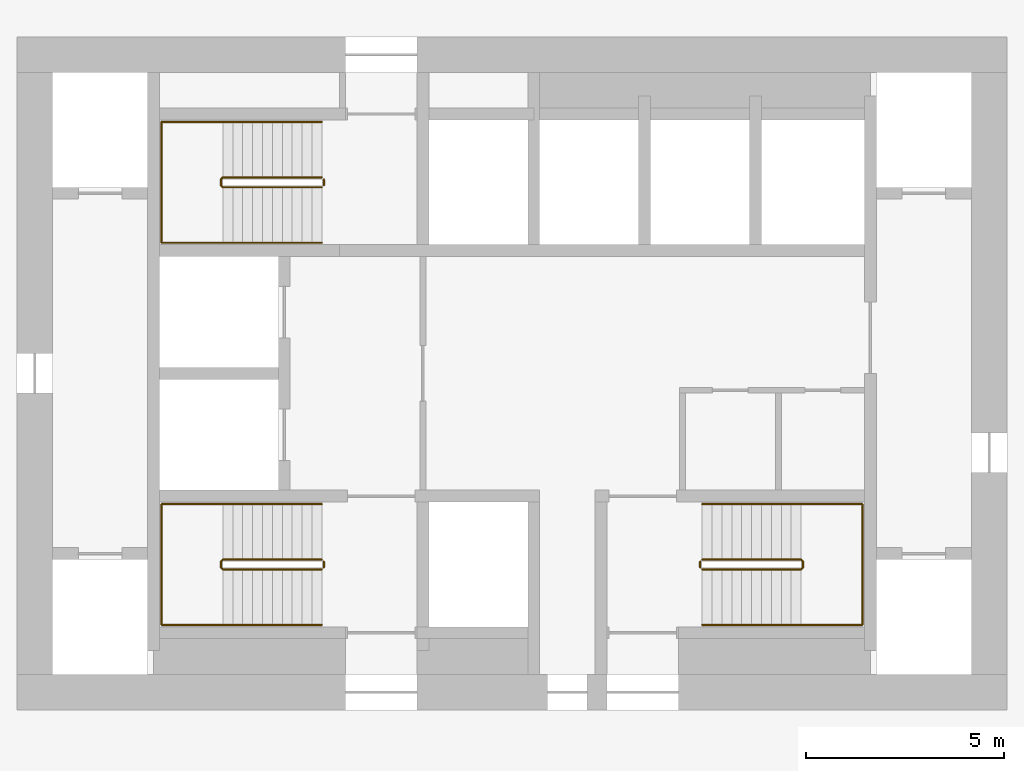
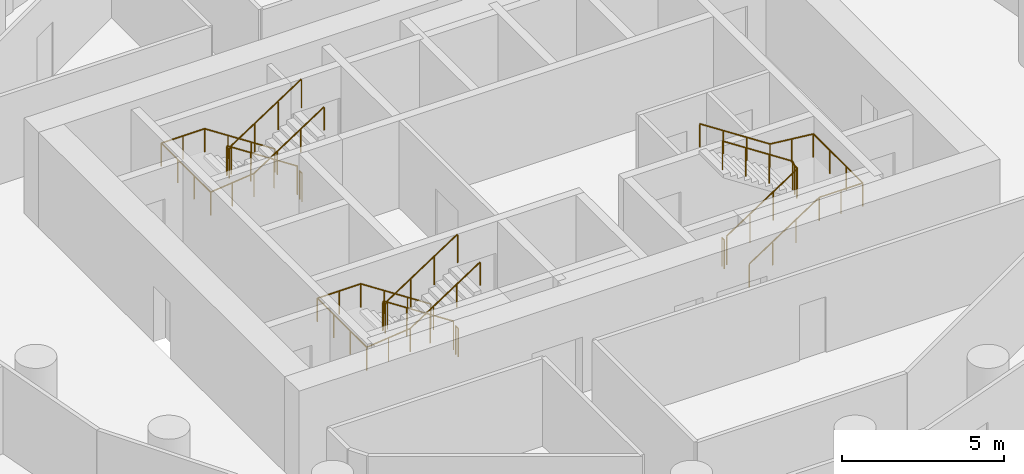
# One storey, part 9 of 9: 9 railings.
"""IFC4 building model written with IfcOpenShell, lengths in metres."""

from ifc_helpers import new_model, si_unit, direction, frame, origin, origin_2d, place, context, subcontext, project, spatial, circle, extrude, material, type_object, element, save


model = new_model("IFC4")

# Units and contexts
model_context = context("Model", 3, precision=1e-05, world=origin(), true_north=direction((0.0, 1.0)))
body_context = subcontext(model_context, "Body", "Model", "MODEL_VIEW")
ifc_project = project(units=[si_unit("LENGTHUNIT", "METRE"), si_unit("AREAUNIT", "SQUARE_METRE"), si_unit("VOLUMEUNIT", "CUBIC_METRE"), si_unit("PLANEANGLEUNIT", "RADIAN"), si_unit("MASSUNIT", "GRAM", prefix="KILO")], contexts=[model_context])

# Site, building, storey
site_placement = place(None, origin())
site = spatial("IfcSite", under=ifc_project, at=site_placement, CompositionType="ELEMENT")
building_placement = place(site_placement, origin())
building = spatial("IfcBuilding", under=site, at=building_placement, Name="Tracery Tower", CompositionType="ELEMENT")
storey_placement = place(building_placement, frame((0.0, 0.0, 147.60009765625)))
storey = spatial("IfcBuildingStorey", under=building, at=storey_placement, Name="L37", CompositionType="ELEMENT", Elevation=147.60009765625)

# Railings
ifc_material_1 = material(Name="Stainless steel and laminated glass", Category="steel")
railing_type_1 = type_object("IfcRailingType", Name="Stair guard 1100", PredefinedType="GUARDRAIL", material=ifc_material_1)
railing_1_placement = place(storey_placement, frame((-4.800048828125, -4.699951171875, 0.16357421875)))
element("IfcRailing", 1, at=railing_1_placement, inside=storey, type_object=railing_type_1, Name="L37 stair ST1 guard 1", PredefinedType="GUARDRAIL", context=body_context, shape_type="SweptSolid", body=[
    extrude(circle(Radius=0.02392578125, at=origin_2d()), frame((0.0, 0.0, 1.076171875), z_axis=(-0.836721939367, 0.0, 0.547627972425), x_axis=(0.0, -1.0, 0.0)), (0.0, 0.0, 1.0), 2.98779296875),
    extrude(circle(Radius=0.02392578125, at=origin_2d()), frame((-2.5, 0.0, 2.71240234375), z_axis=(-0.707106781187, -0.707106781187, 0.0), x_axis=(0.707106781187, -0.707106781187, 0.0)), (0.0, 0.0, 1.0), 0.07080078125),
    extrude(circle(Radius=0.02392578125, at=origin_2d()), frame((-2.550048828125, -0.050048828125, 2.71240234375), z_axis=(0.0, -1.0, 0.0), x_axis=(1.0, 0.0, 0.0)), (0.0, 0.0, 1.0), 0.14990234375),
    extrude(circle(Radius=0.02392578125, at=origin_2d()), frame((-2.550048828125, -0.199951171875, 2.71240234375), z_axis=(0.280456126637, -0.280456126637, 0.917980785237), x_axis=(0.707106781187, 0.707106781187, 0.0)), (0.0, 0.0, 1.0), 0.178466796875),
    extrude(circle(Radius=0.02392578125, at=origin_2d()), frame((-2.5, -0.25, 2.8759765625), z_axis=(0.836721939367, 0.0, 0.547627972425), x_axis=(0.0, 1.0, 0.0)), (0.0, 0.0, 1.0), 2.98779296875),
    extrude(circle(Radius=0.02099609375, at=origin_2d()), origin(), (0.0, 0.0, 1.0), 1.052001953125),
    extrude(circle(Radius=0.02099609375, at=origin_2d()), frame((-0.833251953125, 0.0, 0.54541015625)), (0.0, 0.0, 1.0), 1.052001953125),
    extrude(circle(Radius=0.02099609375, at=origin_2d()), frame((-1.666748046875, 0.0, 1.0908203125)), (0.0, 0.0, 1.0), 1.052001953125),
    extrude(circle(Radius=0.02099609375, at=origin_2d()), frame((-2.5, 0.0, 1.63623046875)), (0.0, 0.0, 1.0), 1.052001953125),
    extrude(circle(Radius=0.02099609375, at=origin_2d()), frame((-2.550048828125, -0.050048828125, 1.63623046875)), (0.0, 0.0, 1.0), 1.052001953125),
    extrude(circle(Radius=0.02099609375, at=origin_2d()), frame((-2.550048828125, -0.199951171875, 1.63623046875)), (0.0, 0.0, 1.0), 1.052001953125),
    extrude(circle(Radius=0.02099609375, at=origin_2d()), frame((-2.5, -0.25, 1.800048828125)), (0.0, 0.0, 1.0), 1.052001953125),
    extrude(circle(Radius=0.02099609375, at=origin_2d()), frame((-1.666748046875, -0.25, 2.345458984375)), (0.0, 0.0, 1.0), 1.052001953125),
    extrude(circle(Radius=0.02099609375, at=origin_2d()), frame((-0.833251953125, -0.25, 2.890869140625)), (0.0, 0.0, 1.0), 1.052001953125),
    extrude(circle(Radius=0.02099609375, at=origin_2d()), frame((0.0, -0.25, 3.436279296875)), (0.0, 0.0, 1.0), 1.052001953125),
])
railing_2_placement = place(storey_placement, frame((-4.75, -4.75, 0.0)))
element("IfcRailing", 2, at=railing_2_placement, inside=storey, type_object=railing_type_1, Name="L37 stair ST1 guard 2", PredefinedType="GUARDRAIL", context=body_context, shape_type="SweptSolid", body=[
    extrude(circle(Radius=0.02392578125, at=origin_2d()), frame((0.0, 0.0, 1.076171875), z_axis=(0.0, -1.0, 0.0), x_axis=(1.0, 0.0, 0.0)), (0.0, 0.0, 1.0), 0.14990234375),
    extrude(circle(Radius=0.02099609375, at=origin_2d()), origin(), (0.0, 0.0, 1.0), 1.052001953125),
    extrude(circle(Radius=0.02099609375, at=origin_2d()), frame((0.0, -0.14990234375, 0.0)), (0.0, 0.0, 1.0), 1.052001953125),
])
railing_3_placement = place(storey_placement, frame((-4.800048828125, 4.949951171875, 0.16357421875)))
element("IfcRailing", 3, at=railing_3_placement, inside=storey, type_object=railing_type_1, Name="L37 stair ST3 guard 1", PredefinedType="GUARDRAIL", context=body_context, shape_type="SweptSolid", body=[
    extrude(circle(Radius=0.02392578125, at=origin_2d()), frame((0.0, 0.0, 1.076171875), z_axis=(-0.836721939367, 0.0, 0.547627972425), x_axis=(0.0, -1.0, 0.0)), (0.0, 0.0, 1.0), 2.98779296875),
    extrude(circle(Radius=0.02392578125, at=origin_2d()), frame((-2.5, 0.0, 2.71240234375), z_axis=(-0.707106781187, -0.707106781187, 0.0), x_axis=(0.707106781187, -0.707106781187, 0.0)), (0.0, 0.0, 1.0), 0.07080078125),
    extrude(circle(Radius=0.02392578125, at=origin_2d()), frame((-2.550048828125, -0.050048828125, 2.71240234375), z_axis=(0.0, -1.0, 0.0), x_axis=(1.0, 0.0, 0.0)), (0.0, 0.0, 1.0), 0.14990234375),
    extrude(circle(Radius=0.02392578125, at=origin_2d()), frame((-2.550048828125, -0.199951171875, 2.71240234375), z_axis=(0.280456126637, -0.280456126637, 0.917980785237), x_axis=(0.707106781187, 0.707106781187, 0.0)), (0.0, 0.0, 1.0), 0.178466796875),
    extrude(circle(Radius=0.02392578125, at=origin_2d()), frame((-2.5, -0.25, 2.8759765625), z_axis=(0.836721939367, 0.0, 0.547627972425), x_axis=(0.0, 1.0, 0.0)), (0.0, 0.0, 1.0), 2.98779296875),
    extrude(circle(Radius=0.02099609375, at=origin_2d()), origin(), (0.0, 0.0, 1.0), 1.052001953125),
    extrude(circle(Radius=0.02099609375, at=origin_2d()), frame((-0.833251953125, 0.0, 0.54541015625)), (0.0, 0.0, 1.0), 1.052001953125),
    extrude(circle(Radius=0.02099609375, at=origin_2d()), frame((-1.666748046875, 0.0, 1.0908203125)), (0.0, 0.0, 1.0), 1.052001953125),
    extrude(circle(Radius=0.02099609375, at=origin_2d()), frame((-2.5, 0.0, 1.63623046875)), (0.0, 0.0, 1.0), 1.052001953125),
    extrude(circle(Radius=0.02099609375, at=origin_2d()), frame((-2.550048828125, -0.050048828125, 1.63623046875)), (0.0, 0.0, 1.0), 1.052001953125),
    extrude(circle(Radius=0.02099609375, at=origin_2d()), frame((-2.550048828125, -0.199951171875, 1.63623046875)), (0.0, 0.0, 1.0), 1.052001953125),
    extrude(circle(Radius=0.02099609375, at=origin_2d()), frame((-2.5, -0.25, 1.800048828125)), (0.0, 0.0, 1.0), 1.052001953125),
    extrude(circle(Radius=0.02099609375, at=origin_2d()), frame((-1.666748046875, -0.25, 2.345458984375)), (0.0, 0.0, 1.0), 1.052001953125),
    extrude(circle(Radius=0.02099609375, at=origin_2d()), frame((-0.833251953125, -0.25, 2.890869140625)), (0.0, 0.0, 1.0), 1.052001953125),
    extrude(circle(Radius=0.02099609375, at=origin_2d()), frame((0.0, -0.25, 3.436279296875)), (0.0, 0.0, 1.0), 1.052001953125),
])
railing_4_placement = place(storey_placement, frame((-4.75, 4.89990234375, 0.0)))
element("IfcRailing", 4, at=railing_4_placement, inside=storey, type_object=railing_type_1, Name="L37 stair ST3 guard 2", PredefinedType="GUARDRAIL", context=body_context, shape_type="SweptSolid", body=[
    extrude(circle(Radius=0.02392578125, at=origin_2d()), frame((0.0, 0.0, 1.076171875), z_axis=(0.0, -1.0, 0.0), x_axis=(1.0, 0.0, 0.0)), (0.0, 0.0, 1.0), 0.14990234375),
    extrude(circle(Radius=0.02099609375, at=origin_2d()), origin(), (0.0, 0.0, 1.0), 1.052001953125),
    extrude(circle(Radius=0.02099609375, at=origin_2d()), frame((0.0, -0.14990234375, 0.0)), (0.0, 0.0, 1.0), 1.052001953125),
])
railing_5_placement = place(storey_placement, frame((4.800048828125, -4.949951171875, 0.16357421875)))
element("IfcRailing", 5, at=railing_5_placement, inside=storey, type_object=railing_type_1, Name="L37 stair ST2 guard 1", PredefinedType="GUARDRAIL", context=body_context, shape_type="SweptSolid", body=[
    extrude(circle(Radius=0.02392578125, at=origin_2d()), frame((0.0, 0.0, 1.076171875), z_axis=(0.836721939367, 0.0, 0.547627972425), x_axis=(0.0, 1.0, 0.0)), (0.0, 0.0, 1.0), 2.98779296875),
    extrude(circle(Radius=0.02392578125, at=origin_2d()), frame((2.5, 0.0, 2.71240234375), z_axis=(0.707106781187, 0.707106781187, 0.0), x_axis=(-0.707106781187, 0.707106781187, 0.0)), (0.0, 0.0, 1.0), 0.07080078125),
    extrude(circle(Radius=0.02392578125, at=origin_2d()), frame((2.550048828125, 0.050048828125, 2.71240234375), z_axis=(0.0, 1.0, 0.0), x_axis=(-1.0, 0.0, 0.0)), (0.0, 0.0, 1.0), 0.14990234375),
    extrude(circle(Radius=0.02392578125, at=origin_2d()), frame((2.550048828125, 0.199951171875, 2.71240234375), z_axis=(-0.280456126637, 0.280456126637, 0.917980785237), x_axis=(-0.707106781187, -0.707106781187, 0.0)), (0.0, 0.0, 1.0), 0.178466796875),
    extrude(circle(Radius=0.02392578125, at=origin_2d()), frame((2.5, 0.25, 2.8759765625), z_axis=(-0.836721939367, 0.0, 0.547627972425), x_axis=(0.0, -1.0, 0.0)), (0.0, 0.0, 1.0), 2.98779296875),
    extrude(circle(Radius=0.02099609375, at=origin_2d()), origin(), (0.0, 0.0, 1.0), 1.052001953125),
    extrude(circle(Radius=0.02099609375, at=origin_2d()), frame((0.833251953125, 0.0, 0.54541015625)), (0.0, 0.0, 1.0), 1.052001953125),
    extrude(circle(Radius=0.02099609375, at=origin_2d()), frame((1.666748046875, 0.0, 1.0908203125)), (0.0, 0.0, 1.0), 1.052001953125),
    extrude(circle(Radius=0.02099609375, at=origin_2d()), frame((2.5, 0.0, 1.63623046875)), (0.0, 0.0, 1.0), 1.052001953125),
    extrude(circle(Radius=0.02099609375, at=origin_2d()), frame((2.550048828125, 0.050048828125, 1.63623046875)), (0.0, 0.0, 1.0), 1.052001953125),
    extrude(circle(Radius=0.02099609375, at=origin_2d()), frame((2.550048828125, 0.199951171875, 1.63623046875)), (0.0, 0.0, 1.0), 1.052001953125),
    extrude(circle(Radius=0.02099609375, at=origin_2d()), frame((2.5, 0.25, 1.800048828125)), (0.0, 0.0, 1.0), 1.052001953125),
    extrude(circle(Radius=0.02099609375, at=origin_2d()), frame((1.666748046875, 0.25, 2.345458984375)), (0.0, 0.0, 1.0), 1.052001953125),
    extrude(circle(Radius=0.02099609375, at=origin_2d()), frame((0.833251953125, 0.25, 2.890869140625)), (0.0, 0.0, 1.0), 1.052001953125),
    extrude(circle(Radius=0.02099609375, at=origin_2d()), frame((0.0, 0.25, 3.436279296875)), (0.0, 0.0, 1.0), 1.052001953125),
])
railing_6_placement = place(storey_placement, frame((4.75, -4.89990234375, 0.0)))
element("IfcRailing", 6, at=railing_6_placement, inside=storey, type_object=railing_type_1, Name="L37 stair ST2 guard 2", PredefinedType="GUARDRAIL", context=body_context, shape_type="SweptSolid", body=[
    extrude(circle(Radius=0.02392578125, at=origin_2d()), frame((0.0, 0.0, 1.076171875), z_axis=(0.0, 1.0, 0.0), x_axis=(-1.0, 0.0, 0.0)), (0.0, 0.0, 1.0), 0.14990234375),
    extrude(circle(Radius=0.02099609375, at=origin_2d()), origin(), (0.0, 0.0, 1.0), 1.052001953125),
    extrude(circle(Radius=0.02099609375, at=origin_2d()), frame((0.0, 0.14990234375, 0.0)), (0.0, 0.0, 1.0), 1.052001953125),
])
ifc_material_2 = material(Name="Stainless steel and laminated glass", Category="steel")
railing_type_2 = type_object("IfcRailingType", Name="Stair handrail 900", PredefinedType="HANDRAIL", material=ifc_material_2)
railing_7_placement = place(storey_placement, frame((-4.800048828125, -3.300048828125, 0.16357421875)))
element("IfcRailing", 7, at=railing_7_placement, inside=storey, type_object=railing_type_2, Name="L37 stair ST1 handrail 1", PredefinedType="HANDRAIL", context=body_context, shape_type="SweptSolid", body=[
    extrude(circle(Radius=0.02392578125, at=origin_2d()), frame((0.0, 0.0, 0.8759765625), z_axis=(-0.836721939367, 0.0, 0.547627972425), x_axis=(0.0, -1.0, 0.0)), (0.0, 0.0, 1.0), 2.98779296875),
    extrude(circle(Radius=0.02392578125, at=origin_2d()), frame((-2.5, 0.0, 2.51220703125), z_axis=(-1.0, 0.0, 0.0), x_axis=(0.0, -1.0, 0.0)), (0.0, 0.0, 1.0), 1.550048828125),
    extrude(circle(Radius=0.02392578125, at=origin_2d()), frame((-4.050048828125, 0.0, 2.51220703125), z_axis=(0.0, -1.0, 0.0), x_axis=(1.0, 0.0, 0.0)), (0.0, 0.0, 1.0), 3.050048828125),
    extrude(circle(Radius=0.02392578125, at=origin_2d()), frame((-4.050048828125, -3.050048828125, 2.51220703125), z_axis=(0.994461594632, 0.0, 0.105100603244), x_axis=(0.0, 1.0, 0.0)), (0.0, 0.0, 1.0), 1.55859375),
    extrude(circle(Radius=0.02392578125, at=origin_2d()), frame((-2.5, -3.050048828125, 2.67578125), z_axis=(0.836721939367, 0.0, 0.547627972425), x_axis=(0.0, 1.0, 0.0)), (0.0, 0.0, 1.0), 2.98779296875),
    extrude(circle(Radius=0.02099609375, at=origin_2d()), origin(), (0.0, 0.0, 1.0), 0.851806640625),
    extrude(circle(Radius=0.02099609375, at=origin_2d()), frame((-0.833251953125, 0.0, 0.54541015625)), (0.0, 0.0, 1.0), 0.851806640625),
    extrude(circle(Radius=0.02099609375, at=origin_2d()), frame((-1.666748046875, 0.0, 1.0908203125)), (0.0, 0.0, 1.0), 0.851806640625),
    extrude(circle(Radius=0.02099609375, at=origin_2d()), frame((-2.5, 0.0, 1.63623046875)), (0.0, 0.0, 1.0), 0.851806640625),
    extrude(circle(Radius=0.02099609375, at=origin_2d()), frame((-3.27490234375, 0.0, 1.63623046875)), (0.0, 0.0, 1.0), 0.851806640625),
    extrude(circle(Radius=0.02099609375, at=origin_2d()), frame((-4.050048828125, 0.0, 1.63623046875)), (0.0, 0.0, 1.0), 0.851806640625),
    extrude(circle(Radius=0.02099609375, at=origin_2d()), frame((-4.050048828125, -1.0166015625, 1.63623046875)), (0.0, 0.0, 1.0), 0.851806640625),
    extrude(circle(Radius=0.02099609375, at=origin_2d()), frame((-4.050048828125, -2.033447265625, 1.63623046875)), (0.0, 0.0, 1.0), 0.851806640625),
    extrude(circle(Radius=0.02099609375, at=origin_2d()), frame((-4.050048828125, -3.050048828125, 1.63623046875)), (0.0, 0.0, 1.0), 0.851806640625),
    extrude(circle(Radius=0.02099609375, at=origin_2d()), frame((-3.27490234375, -3.050048828125, 1.71826171875)), (0.0, 0.0, 1.0), 0.851806640625),
    extrude(circle(Radius=0.02099609375, at=origin_2d()), frame((-2.5, -3.050048828125, 1.800048828125)), (0.0, 0.0, 1.0), 0.851806640625),
    extrude(circle(Radius=0.02099609375, at=origin_2d()), frame((-1.666748046875, -3.050048828125, 2.345458984375)), (0.0, 0.0, 1.0), 0.851806640625),
    extrude(circle(Radius=0.02099609375, at=origin_2d()), frame((-0.833251953125, -3.050048828125, 2.890869140625)), (0.0, 0.0, 1.0), 0.851806640625),
    extrude(circle(Radius=0.02099609375, at=origin_2d()), frame((0.0, -3.050048828125, 3.436279296875)), (0.0, 0.0, 1.0), 0.851806640625),
])
railing_8_placement = place(storey_placement, frame((-4.800048828125, 6.35009765625, 0.16357421875)))
element("IfcRailing", 8, at=railing_8_placement, inside=storey, type_object=railing_type_2, Name="L37 stair ST3 handrail 1", PredefinedType="HANDRAIL", context=body_context, shape_type="SweptSolid", body=[
    extrude(circle(Radius=0.02392578125, at=origin_2d()), frame((0.0, 0.0, 0.8759765625), z_axis=(-0.836721939367, 0.0, 0.547627972425), x_axis=(0.0, -1.0, 0.0)), (0.0, 0.0, 1.0), 2.98779296875),
    extrude(circle(Radius=0.02392578125, at=origin_2d()), frame((-2.5, 0.0, 2.51220703125), z_axis=(-1.0, 0.0, 0.0), x_axis=(0.0, -1.0, 0.0)), (0.0, 0.0, 1.0), 1.550048828125),
    extrude(circle(Radius=0.02392578125, at=origin_2d()), frame((-4.050048828125, 0.0, 2.51220703125), z_axis=(0.0, -1.0, 0.0), x_axis=(1.0, 0.0, 0.0)), (0.0, 0.0, 1.0), 3.050048828125),
    extrude(circle(Radius=0.02392578125, at=origin_2d()), frame((-4.050048828125, -3.050048828125, 2.51220703125), z_axis=(0.994461594632, 0.0, 0.105100603244), x_axis=(0.0, 1.0, 0.0)), (0.0, 0.0, 1.0), 1.55859375),
    extrude(circle(Radius=0.02392578125, at=origin_2d()), frame((-2.5, -3.050048828125, 2.67578125), z_axis=(0.836721939367, 0.0, 0.547627972425), x_axis=(0.0, 1.0, 0.0)), (0.0, 0.0, 1.0), 2.98779296875),
    extrude(circle(Radius=0.02099609375, at=origin_2d()), origin(), (0.0, 0.0, 1.0), 0.851806640625),
    extrude(circle(Radius=0.02099609375, at=origin_2d()), frame((-0.833251953125, 0.0, 0.54541015625)), (0.0, 0.0, 1.0), 0.851806640625),
    extrude(circle(Radius=0.02099609375, at=origin_2d()), frame((-1.666748046875, 0.0, 1.0908203125)), (0.0, 0.0, 1.0), 0.851806640625),
    extrude(circle(Radius=0.02099609375, at=origin_2d()), frame((-2.5, 0.0, 1.63623046875)), (0.0, 0.0, 1.0), 0.851806640625),
    extrude(circle(Radius=0.02099609375, at=origin_2d()), frame((-3.27490234375, 0.0, 1.63623046875)), (0.0, 0.0, 1.0), 0.851806640625),
    extrude(circle(Radius=0.02099609375, at=origin_2d()), frame((-4.050048828125, 0.0, 1.63623046875)), (0.0, 0.0, 1.0), 0.851806640625),
    extrude(circle(Radius=0.02099609375, at=origin_2d()), frame((-4.050048828125, -1.0166015625, 1.63623046875)), (0.0, 0.0, 1.0), 0.851806640625),
    extrude(circle(Radius=0.02099609375, at=origin_2d()), frame((-4.050048828125, -2.033447265625, 1.63623046875)), (0.0, 0.0, 1.0), 0.851806640625),
    extrude(circle(Radius=0.02099609375, at=origin_2d()), frame((-4.050048828125, -3.050048828125, 1.63623046875)), (0.0, 0.0, 1.0), 0.851806640625),
    extrude(circle(Radius=0.02099609375, at=origin_2d()), frame((-3.27490234375, -3.050048828125, 1.71826171875)), (0.0, 0.0, 1.0), 0.851806640625),
    extrude(circle(Radius=0.02099609375, at=origin_2d()), frame((-2.5, -3.050048828125, 1.800048828125)), (0.0, 0.0, 1.0), 0.851806640625),
    extrude(circle(Radius=0.02099609375, at=origin_2d()), frame((-1.666748046875, -3.050048828125, 2.345458984375)), (0.0, 0.0, 1.0), 0.851806640625),
    extrude(circle(Radius=0.02099609375, at=origin_2d()), frame((-0.833251953125, -3.050048828125, 2.890869140625)), (0.0, 0.0, 1.0), 0.851806640625),
    extrude(circle(Radius=0.02099609375, at=origin_2d()), frame((0.0, -3.050048828125, 3.436279296875)), (0.0, 0.0, 1.0), 0.851806640625),
])
railing_9_placement = place(storey_placement, frame((4.800048828125, -6.35009765625, 0.16357421875)))
element("IfcRailing", 9, at=railing_9_placement, inside=storey, type_object=railing_type_2, Name="L37 stair ST2 handrail 1", PredefinedType="HANDRAIL", context=body_context, shape_type="SweptSolid", body=[
    extrude(circle(Radius=0.02392578125, at=origin_2d()), frame((0.0, 0.0, 0.8759765625), z_axis=(0.836721939367, 0.0, 0.547627972425), x_axis=(0.0, 1.0, 0.0)), (0.0, 0.0, 1.0), 2.98779296875),
    extrude(circle(Radius=0.02392578125, at=origin_2d()), frame((2.5, 0.0, 2.51220703125), z_axis=(1.0, 0.0, 0.0), x_axis=(0.0, 1.0, 0.0)), (0.0, 0.0, 1.0), 1.550048828125),
    extrude(circle(Radius=0.02392578125, at=origin_2d()), frame((4.050048828125, 0.0, 2.51220703125), z_axis=(0.0, 1.0, 0.0), x_axis=(-1.0, 0.0, 0.0)), (0.0, 0.0, 1.0), 3.050048828125),
    extrude(circle(Radius=0.02392578125, at=origin_2d()), frame((4.050048828125, 3.050048828125, 2.51220703125), z_axis=(-0.994461594632, 0.0, 0.105100603244), x_axis=(0.0, -1.0, 0.0)), (0.0, 0.0, 1.0), 1.55859375),
    extrude(circle(Radius=0.02392578125, at=origin_2d()), frame((2.5, 3.050048828125, 2.67578125), z_axis=(-0.836721939367, 0.0, 0.547627972425), x_axis=(0.0, -1.0, 0.0)), (0.0, 0.0, 1.0), 2.98779296875),
    extrude(circle(Radius=0.02099609375, at=origin_2d()), origin(), (0.0, 0.0, 1.0), 0.851806640625),
    extrude(circle(Radius=0.02099609375, at=origin_2d()), frame((0.833251953125, 0.0, 0.54541015625)), (0.0, 0.0, 1.0), 0.851806640625),
    extrude(circle(Radius=0.02099609375, at=origin_2d()), frame((1.666748046875, 0.0, 1.0908203125)), (0.0, 0.0, 1.0), 0.851806640625),
    extrude(circle(Radius=0.02099609375, at=origin_2d()), frame((2.5, 0.0, 1.63623046875)), (0.0, 0.0, 1.0), 0.851806640625),
    extrude(circle(Radius=0.02099609375, at=origin_2d()), frame((3.27490234375, 0.0, 1.63623046875)), (0.0, 0.0, 1.0), 0.851806640625),
    extrude(circle(Radius=0.02099609375, at=origin_2d()), frame((4.050048828125, 0.0, 1.63623046875)), (0.0, 0.0, 1.0), 0.851806640625),
    extrude(circle(Radius=0.02099609375, at=origin_2d()), frame((4.050048828125, 1.0166015625, 1.63623046875)), (0.0, 0.0, 1.0), 0.851806640625),
    extrude(circle(Radius=0.02099609375, at=origin_2d()), frame((4.050048828125, 2.033447265625, 1.63623046875)), (0.0, 0.0, 1.0), 0.851806640625),
    extrude(circle(Radius=0.02099609375, at=origin_2d()), frame((4.050048828125, 3.050048828125, 1.63623046875)), (0.0, 0.0, 1.0), 0.851806640625),
    extrude(circle(Radius=0.02099609375, at=origin_2d()), frame((3.27490234375, 3.050048828125, 1.71826171875)), (0.0, 0.0, 1.0), 0.851806640625),
    extrude(circle(Radius=0.02099609375, at=origin_2d()), frame((2.5, 3.050048828125, 1.800048828125)), (0.0, 0.0, 1.0), 0.851806640625),
    extrude(circle(Radius=0.02099609375, at=origin_2d()), frame((1.666748046875, 3.050048828125, 2.345458984375)), (0.0, 0.0, 1.0), 0.851806640625),
    extrude(circle(Radius=0.02099609375, at=origin_2d()), frame((0.833251953125, 3.050048828125, 2.890869140625)), (0.0, 0.0, 1.0), 0.851806640625),
    extrude(circle(Radius=0.02099609375, at=origin_2d()), frame((0.0, 3.050048828125, 3.436279296875)), (0.0, 0.0, 1.0), 0.851806640625),
])

save(model, "model.ifc")
